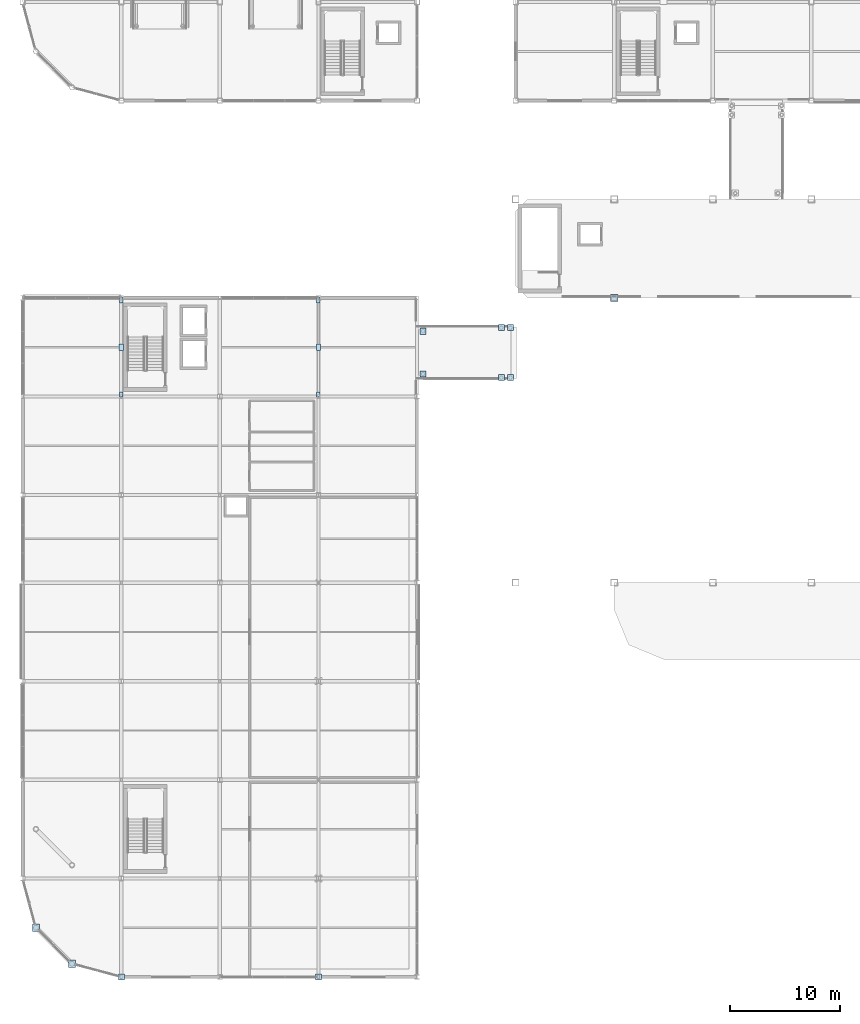
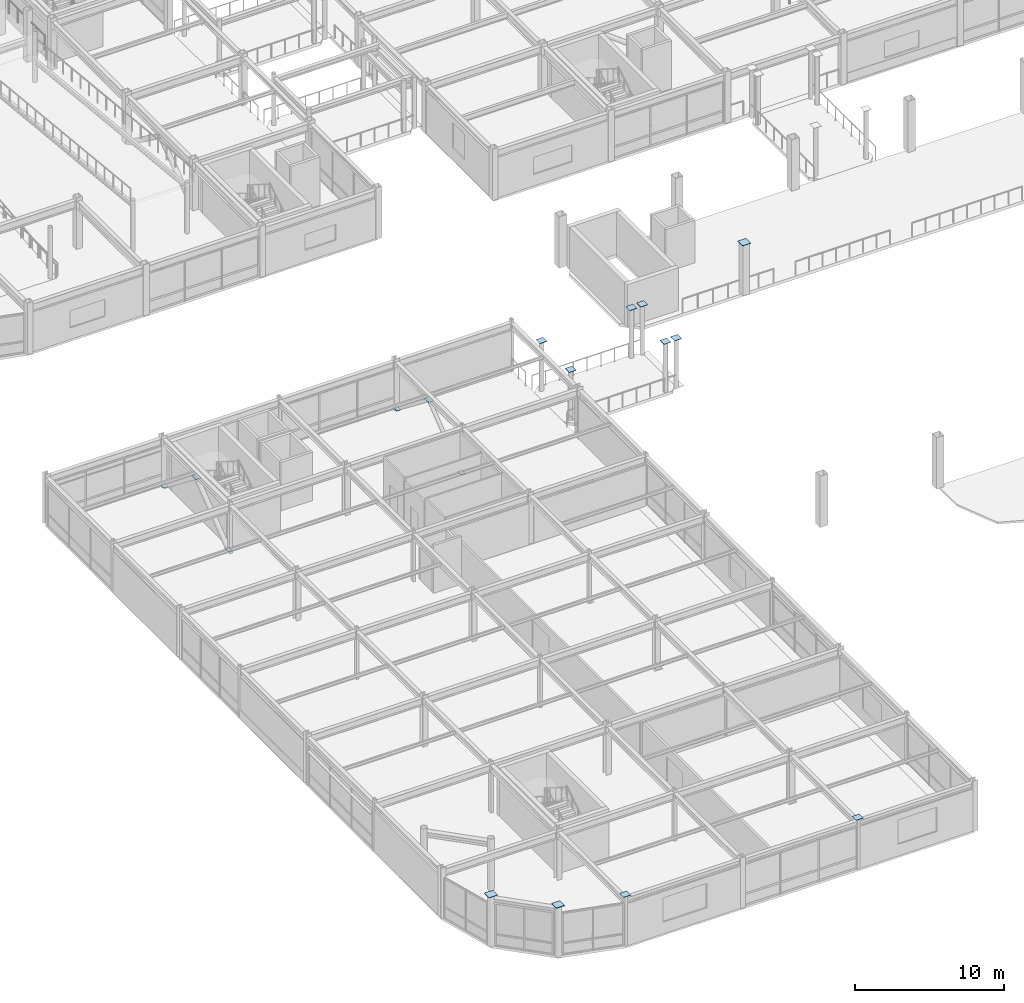
# One storey, part 68 of 105: 17 plates.
"""IFC4 building model written with IfcOpenShell, lengths in metres."""

from ifc_helpers import new_model, si_unit, direction, frame, origin, origin_2d, place, context, subcontext, project, spatial, rectangle, extrude, material, layer, layer_set, type_object, element, save


model = new_model("IFC4")

# Units and contexts
model_context = context("Model", 3, precision=1e-05, world=origin(), true_north=direction((0.0, 1.0)))
body_context = subcontext(model_context, "Body", "Model", "MODEL_VIEW")
ifc_project = project(units=[si_unit("LENGTHUNIT", "METRE"), si_unit("AREAUNIT", "SQUARE_METRE"), si_unit("VOLUMEUNIT", "CUBIC_METRE"), si_unit("PLANEANGLEUNIT", "RADIAN"), si_unit("MASSUNIT", "GRAM", prefix="KILO")], contexts=[model_context])

# Site, building, storey
site_placement = place(None, origin())
site = spatial("IfcSite", under=ifc_project, at=site_placement, CompositionType="ELEMENT")
building_placement = place(site_placement, origin())
building = spatial("IfcBuilding", under=site, at=building_placement, Name="Suzunagisa Mobility Hub", CompositionType="ELEMENT")
storey_placement = place(building_placement, frame((0.0, 0.0, 5.10009765625)))
storey = spatial("IfcBuildingStorey", under=building, at=storey_placement, Name="L01", CompositionType="ELEMENT", Elevation=5.10009765625)

# Plates
ifc_material = material(Name="Steel SN490B", Category="steel")
ifc_layer_1 = layer(ifc_material, 0.02392578125)
ifc_layer_set_1 = layer_set([ifc_layer_1], Name="Steel SN490B")
plate_type_1 = type_object("IfcPlateType", Name="Structural Steel Plate SP-01 550x550x24", PredefinedType="USERDEFINED", material=ifc_layer_set_1)
for number, where, z_axis, x_axis, name in (
    (1, (9.0, 0.0, 4.139892578125), (0.0, 0.0, 1.0), (1.0, 0.0, 0.0), "L01 Column Cap Plate CP-20"),
    (2, (27.0, 0.0, 4.139892578125), (0.0, 0.0, 1.0), (1.0, 0.0, 0.0), "L01 Column Cap Plate CP-62"),
    (3, (36.550048828125, 55.050048828125, 4.06005859375), (0.0, 0.0, 1.0), (1.0, 0.0, 0.0), "L01 Column Cap Plate CP-90"),
    (4, (36.550048828125, 58.949951171875, 4.06005859375), (0.0, 0.0, 1.0), (1.0, 0.0, 0.0), "L01 Column Cap Plate CP-91"),
    (5, (43.699951171875, 54.719970703125, 4.06005859375), (0.0, 0.0, 1.0), (1.0, 0.0, 0.0), "L01 Column Cap Plate CP-103"),
    (6, (43.699951171875, 59.280029296875, 4.06005859375), (0.0, 0.0, 1.0), (1.0, 0.0, 0.0), "L01 Column Cap Plate CP-104"),
    (7, (44.530029296875, 54.719970703125, 4.06005859375), (0.0, 0.0, 1.0), (1.0, 0.0, 0.0), "L01 Column Cap Plate CP-109"),
    (8, (44.530029296875, 59.280029296875, 4.06005859375), (0.0, 0.0, 1.0), (1.0, 0.0, 0.0), "L01 Column Cap Plate CP-110"),
):
    element("IfcPlate", number, at=place(storey_placement, frame(where, z_axis=z_axis, x_axis=x_axis)), inside=storey, type_object=plate_type_1, Name=name, ObjectType="BASE PLATE", PredefinedType="USERDEFINED", context=body_context, shape_type="SweptSolid", body=[
        extrude(rectangle(XDim=0.550048828125, YDim=0.550048828125, at=origin_2d()), origin(), (0.0, 0.0, 1.0), 0.02392578125),
    ])
ifc_layer_2 = layer(ifc_material, 0.028076171875)
ifc_layer_set_2 = layer_set([ifc_layer_2], Name="Steel SN490B")
plate_type_2 = type_object("IfcPlateType", Name="Structural Steel Plate SP-04 480x320x28", PredefinedType="USERDEFINED", material=ifc_layer_set_2)
for number, where, z_axis, x_axis, name in (
    (9, (9.0, 53.169921875, 0.10595703125), (0.0, 0.0, 1.0), (1.0, 0.0, 0.0), "L01 Brace Foot Gusset Plate FGP-102.1"),
    (10, (9.0, 61.780029296875, 0.10595703125), (0.0, 0.0, 1.0), (1.0, 0.0, 0.0), "L01 Brace Foot Gusset Plate FGP-102.2"),
    (11, (27.0, 53.169921875, 0.10595703125), (0.0, 0.0, 1.0), (1.0, 0.0, 0.0), "L01 Brace Foot Gusset Plate FGP-105.1"),
    (12, (27.0, 61.780029296875, 0.10595703125), (0.0, 0.0, 1.0), (1.0, 0.0, 0.0), "L01 Brace Foot Gusset Plate FGP-105.2"),
):
    element("IfcPlate", number, at=place(storey_placement, frame(where, z_axis=z_axis, x_axis=x_axis)), inside=storey, type_object=plate_type_2, Name=name, ObjectType="GUSSET PLATE", PredefinedType="USERDEFINED", context=body_context, shape_type="SweptSolid", body=[
        extrude(rectangle(XDim=0.320068359375, YDim=0.47998046875, at=origin_2d()), origin(), (0.0, 0.0, 1.0), 0.028076171875),
    ])
ifc_layer_3 = layer(ifc_material, 0.031982421875)
ifc_layer_set_3 = layer_set([ifc_layer_3], Name="Steel SN490B")
plate_type_3 = type_object("IfcPlateType", Name="Structural Steel Plate SP-05 650x650x32", PredefinedType="USERDEFINED", material=ifc_layer_set_3)
for number, where, z_axis, x_axis, name in (
    (13, (1.205810546875, 4.5, 4.14013671875), (0.0, 0.0, 1.0), (1.0, 0.0, 0.0), "L01 Column Cap Plate CP-11"),
    (14, (4.5, 1.205810546875, 4.14013671875), (0.0, 0.0, 1.0), (1.0, 0.0, 0.0), "L01 Column Cap Plate CP-16"),
    (15, (54.0, 62.0, 4.14013671875), (0.0, 0.0, 1.0), (1.0, 0.0, 0.0), "L01 Column Cap Plate CP-127"),
):
    element("IfcPlate", number, at=place(storey_placement, frame(where, z_axis=z_axis, x_axis=x_axis)), inside=storey, type_object=plate_type_3, Name=name, ObjectType="BASE PLATE", PredefinedType="USERDEFINED", context=body_context, shape_type="SweptSolid", body=[
        extrude(rectangle(XDim=0.64990234375, YDim=0.64990234375, at=origin_2d()), origin(), (0.0, 0.0, 1.0), 0.031982421875),
    ])
ifc_layer_4 = layer(ifc_material, 0.028076171875)
ifc_layer_set_4 = layer_set([ifc_layer_4], Name="Steel SN490B")
plate_type_4 = type_object("IfcPlateType", Name="Structural Steel Plate SP-06 600x400x28", PredefinedType="USERDEFINED", material=ifc_layer_set_4)
for number, where, z_axis, x_axis, name in (
    (16, (9.0, 57.5, 3.44384765625), (0.0, 0.0, 1.0), (1.0, 0.0, 0.0), "L01 Brace Apex Gusset GP-102"),
    (17, (27.0, 57.5, 3.44384765625), (0.0, 0.0, 1.0), (1.0, 0.0, 0.0), "L01 Brace Apex Gusset GP-105"),
):
    element("IfcPlate", number, at=place(storey_placement, frame(where, z_axis=z_axis, x_axis=x_axis)), inside=storey, type_object=plate_type_4, Name=name, ObjectType="GUSSET PLATE", PredefinedType="USERDEFINED", context=body_context, shape_type="SweptSolid", body=[
        extrude(rectangle(XDim=0.39990234375, YDim=0.60009765625, at=origin_2d()), origin(), (0.0, 0.0, 1.0), 0.028076171875),
    ])

save(model, "model.ifc")
